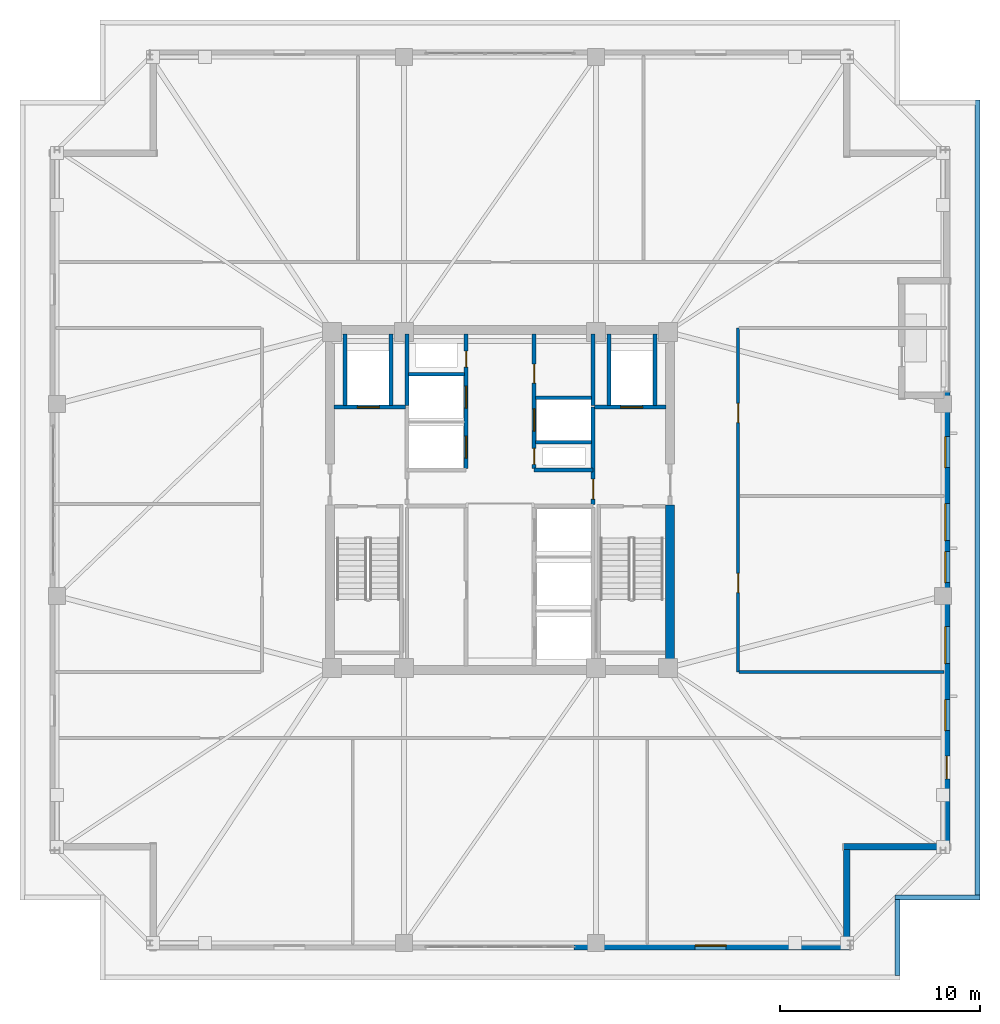
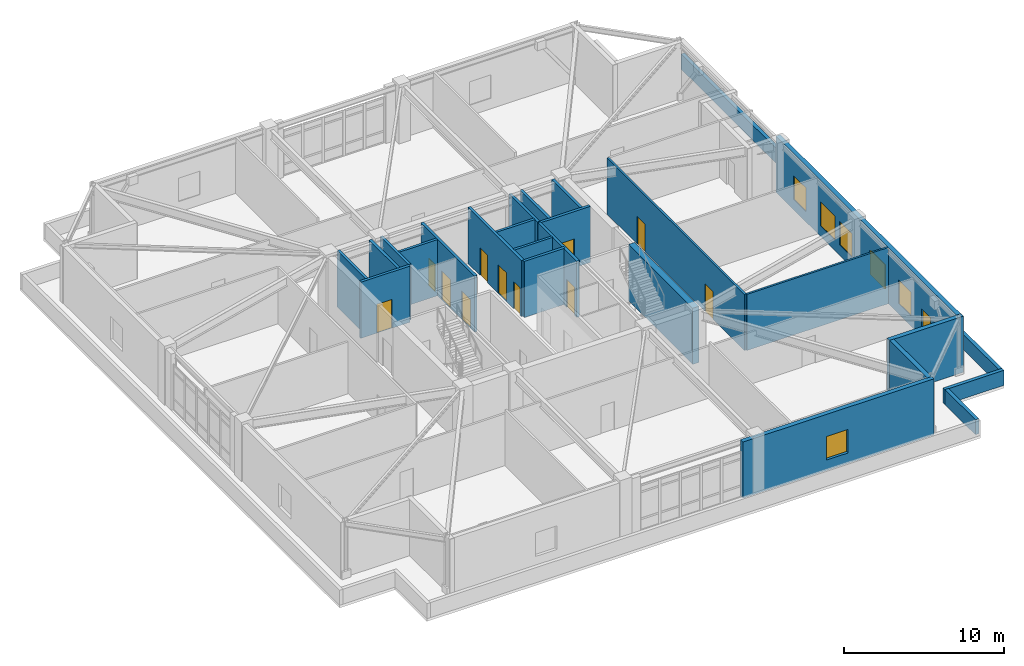
# One storey, part 12 of 18: 25 walls, 12 doors, 6 windows, 18 openings.
"""IFC4 building model written with IfcOpenShell, lengths in metres."""

from ifc_helpers import new_model, si_unit, direction, frame, frame_2d, origin, place, context, subcontext, project, spatial, rectangle, extrude, material, layer, layer_set, type_object, element, fill, save


model = new_model("IFC4")

# Units and contexts
model_context = context("Model", 3, precision=1e-05, world=origin(), true_north=direction((0.0, 1.0)))
body_context = subcontext(model_context, "Body", "Model", "MODEL_VIEW")
ifc_project = project(units=[si_unit("LENGTHUNIT", "METRE"), si_unit("AREAUNIT", "SQUARE_METRE"), si_unit("VOLUMEUNIT", "CUBIC_METRE"), si_unit("PLANEANGLEUNIT", "RADIAN"), si_unit("MASSUNIT", "GRAM", prefix="KILO")], contexts=[model_context])

# Site, building, storey
site_placement = place(None, origin())
site = spatial("IfcSite", under=ifc_project, at=site_placement, CompositionType="ELEMENT")
building_placement = place(site_placement, origin())
building = spatial("IfcBuilding", under=site, at=building_placement, Name="Cairnveth Concourse Tower", CompositionType="ELEMENT")
storey_placement = place(building_placement, frame((0.0, 0.0, 198.0)))
storey = spatial("IfcBuildingStorey", under=building, at=storey_placement, Name="L54", CompositionType="ELEMENT", Elevation=198.0)

# Walls
ifc_material_1 = material(Name="Concrete N65 (65 MPa)", Category="concrete")
ifc_layer_1 = layer(ifc_material_1, 0.449951171875)
ifc_layer_set_1 = layer_set([ifc_layer_1], Name="Concrete N65 (65 MPa)")
wall_type_1 = type_object("IfcWallType", Name="CORE SHEAR WALL 450", PredefinedType="SHEAR", material=ifc_layer_set_1)
wall_1_placement = place(storey_placement, frame((60.5, 30.715087890625, 0.0), z_axis=(0.0, 0.0, 1.0), x_axis=(0.0, 1.0, 0.0)))
element("IfcWall", 1, at=wall_1_placement, inside=storey, type_object=wall_type_1, Name="Core East Shear Wall S L54", PredefinedType="SHEAR", context=body_context, shape_type="SweptSolid", body=[
    extrude(rectangle(XDim=8.034912109375, YDim=0.449951171875, at=frame_2d((4.017578125, 0.0))), origin(), (0.0, 0.0, 1.0), 4.2900390625),
])
ifc_material_2 = material(Name="Concrete N50 (50 MPa)", Category="concrete")
ifc_layer_2 = layer(ifc_material_2, 0.179931640625)
ifc_layer_set_2 = layer_set([ifc_layer_2], Name="Concrete N50 (50 MPa)")
wall_type_2 = type_object("IfcWallType", Name="FIRE SHAFT WALL 180", PredefinedType="SOLIDWALL", material=ifc_layer_set_2)
wall_2_placement = place(storey_placement, frame((47.35009765625, 43.735107421875, 0.0), z_axis=(0.0, 0.0, 1.0), x_axis=(0.0, 1.0, 0.0)))
element("IfcWall", 2, at=wall_2_placement, inside=storey, type_object=wall_type_2, Name="Interior Wall IW-L54-029", PredefinedType="SOLIDWALL", context=body_context, shape_type="SweptSolid", body=[
    extrude(rectangle(XDim=3.554931640625, YDim=0.179931640625, at=frame_2d((1.77734375, 0.0))), origin(), (0.0, 0.0, 1.0), 4.2900390625),
])
wall_3_placement = place(storey_placement, frame((47.425048828125, 45.280029296875, 0.0), z_axis=(0.0, 0.0, 1.0), x_axis=(1.0, 0.0, 0.0)))
element("IfcWall", 3, at=wall_3_placement, inside=storey, type_object=wall_type_2, Name="Interior Wall IW-L54-031", PredefinedType="SOLIDWALL", context=body_context, shape_type="SweptSolid", body=[
    extrude(rectangle(XDim=2.7900390625, YDim=0.179931640625, at=frame_2d((1.39501953125, 0.0))), origin(), (0.0, 0.0, 1.0), 4.2900390625),
])
wall_4_placement = place(storey_placement, frame((56.64990234375, 43.735107421875, 0.0), z_axis=(0.0, 0.0, 1.0), x_axis=(0.0, 1.0, 0.0)))
element("IfcWall", 4, at=wall_4_placement, inside=storey, type_object=wall_type_2, Name="Interior Wall IW-L54-032", PredefinedType="SOLIDWALL", context=body_context, shape_type="SweptSolid", body=[
    extrude(rectangle(XDim=3.554931640625, YDim=0.179931640625, at=frame_2d((1.77734375, 0.0))), origin(), (0.0, 0.0, 1.0), 4.2900390625),
])
wall_5_placement = place(storey_placement, frame((53.784912109375, 41.8798828125, 0.0), z_axis=(0.0, 0.0, 1.0), x_axis=(1.0, 0.0, 0.0)))
element("IfcWall", 5, at=wall_5_placement, inside=storey, type_object=wall_type_2, Name="Interior Wall IW-L54-033", PredefinedType="SOLIDWALL", context=body_context, shape_type="SweptSolid", body=[
    extrude(rectangle(XDim=2.780029296875, YDim=0.179931640625, at=frame_2d((1.39013671875, 0.0))), origin(), (0.0, 0.0, 1.0), 4.2900390625),
])
wall_6_placement = place(storey_placement, frame((53.784912109375, 44.1201171875, 0.0), z_axis=(0.0, 0.0, 1.0), x_axis=(1.0, 0.0, 0.0)))
element("IfcWall", 6, at=wall_6_placement, inside=storey, type_object=wall_type_2, Name="Interior Wall IW-L54-034", PredefinedType="SOLIDWALL", context=body_context, shape_type="SweptSolid", body=[
    extrude(rectangle(XDim=2.7900390625, YDim=0.179931640625, at=frame_2d((1.39501953125, 0.0))), origin(), (0.0, 0.0, 1.0), 4.2900390625),
])
ifc_layer_3 = layer(ifc_material_2, 0.199951171875)
ifc_layer_set_3 = layer_set([ifc_layer_3], Name="Concrete N50 (50 MPa)")
wall_type_3 = type_object("IfcWallType", Name="FIRE SHAFT WALL 200", PredefinedType="SOLIDWALL", material=ifc_layer_set_3)
wall_7_placement = place(storey_placement, frame((53.699951171875, 40.5, 0.0), z_axis=(0.0, 0.0, 1.0), x_axis=(1.0, 0.0, 0.0)))
element("IfcWall", 7, at=wall_7_placement, inside=storey, type_object=wall_type_3, Name="Interior Wall IW-L54-010", PredefinedType="SOLIDWALL", context=body_context, shape_type="SweptSolid", body=[
    extrude(rectangle(XDim=2.949951171875, YDim=0.199951171875, at=frame_2d((1.47509765625, 0.0))), origin(), (0.0, 0.0, 1.0), 4.2900390625),
])

# Wall, openings, doors
wall_8_placement = place(storey_placement, frame((50.300048828125, 40.5849609375, 0.0), z_axis=(0.0, 0.0, 1.0), x_axis=(0.0, 1.0, 0.0)))
wall_8 = element("IfcWall", 8, at=wall_8_placement, inside=storey, type_object=wall_type_3, Name="Interior Wall IW-L54-013", PredefinedType="SOLIDWALL", context=body_context, shape_type="SweptSolid", body=[
    extrude(rectangle(XDim=6.705078125, YDim=0.199951171875, at=frame_2d((3.3525390625, 0.0))), origin(), (0.0, 0.0, 1.0), 4.2900390625),
])
opening_1_placement = place(wall_8_placement, frame((0.514892578125, 0.0, 0.0)))
opening_1 = element("IfcOpeningElement", 9, at=opening_1_placement, cuts=wall_8, Name="Opening LD-1", PredefinedType="OPENING", context=body_context, shape_type="SweptSolid", body=[
    extrude(rectangle(XDim=1.10009765625, YDim=2.199951171875, at=frame_2d((0.550048828125, 1.10009765625))), frame((0.0, 0.10986328125, 0.0), z_axis=(0.0, -1.0, 0.0), x_axis=(1.0, 0.0, 0.0)), (0.0, 0.0, 1.0), 0.219970703125),
])
opening_2_placement = place(wall_8_placement, frame((3.014892578125, 0.0, 0.0)))
opening_2 = element("IfcOpeningElement", 10, at=opening_2_placement, cuts=wall_8, Name="Opening LD-1", PredefinedType="OPENING", context=body_context, shape_type="SweptSolid", body=[
    extrude(rectangle(XDim=1.10009765625, YDim=2.199951171875, at=frame_2d((0.550048828125, 1.10009765625))), frame((0.0, 0.10986328125, 0.0), z_axis=(0.0, -1.0, 0.0), x_axis=(1.0, 0.0, 0.0)), (0.0, 0.0, 1.0), 0.219970703125),
])
opening_3_placement = place(wall_8_placement, frame((5.06494140625, 0.0, 0.0)))
opening_3 = element("IfcOpeningElement", 11, at=opening_3_placement, cuts=wall_8, Name="Opening ID24", PredefinedType="OPENING", context=body_context, shape_type="SweptSolid", body=[
    extrude(rectangle(XDim=0.800048828125, YDim=2.080078125, at=frame_2d((0.39990234375, 1.0400390625))), frame((0.0, 0.10986328125, 0.0), z_axis=(0.0, -1.0, 0.0), x_axis=(1.0, 0.0, 0.0)), (0.0, 0.0, 1.0), 0.219970703125),
])
ifc_material_3 = material(Name="Architectural Bronze Anodised Aluminium 6063-T6", Category="aluminium")
door_type_1 = type_object("IfcDoorType", Name="LIFT LANDING DOOR 1100X2200", OperationType="SLIDING_TO_LEFT", PredefinedType="DOOR", material=ifc_material_3)
door_1_placement = place(opening_1_placement, origin())
door_1 = element("IfcDoor", 12, at=door_1_placement, inside=storey, type_object=door_type_1, Name="Lift PL7 Landing Door L54", OperationType="SLIDING_TO_LEFT", OverallHeight=2.199951171875, OverallWidth=1.10009765625, PredefinedType="DOOR", context=body_context, shape_type="SweptSolid", body=[
    extrude(rectangle(XDim=1.10009765625, YDim=2.199951171875, at=frame_2d((0.550048828125, 1.10009765625))), frame((0.0, 0.02490234375, 0.0), z_axis=(0.0, -1.0, 0.0), x_axis=(1.0, 0.0, 0.0)), (0.0, 0.0, 1.0), 0.050048828125),
])
fill(opening_1, door_1)
door_2_placement = place(opening_2_placement, origin())
door_2 = element("IfcDoor", 13, at=door_2_placement, inside=storey, type_object=door_type_1, Name="Lift PL8 Landing Door L54", OperationType="SLIDING_TO_LEFT", OverallHeight=2.199951171875, OverallWidth=1.10009765625, PredefinedType="DOOR", context=body_context, shape_type="SweptSolid", body=[
    extrude(rectangle(XDim=1.10009765625, YDim=2.199951171875, at=frame_2d((0.550048828125, 1.10009765625))), frame((0.0, 0.02490234375, 0.0), z_axis=(0.0, -1.0, 0.0), x_axis=(1.0, 0.0, 0.0)), (0.0, 0.0, 1.0), 0.050048828125),
])
fill(opening_2, door_2)
ifc_material_4 = material(Name="Steel Grade 350", Category="steel")
door_type_2 = type_object("IfcDoorType", Name="RISER ACCESS DOOR 800X2100", OperationType="NOTDEFINED", PredefinedType="DOOR", material=ifc_material_4)
door_3_placement = place(opening_3_placement, origin())
door_3 = element("IfcDoor", 14, at=door_3_placement, inside=storey, type_object=door_type_2, Name="NW Electrical Riser Access Door L54", OperationType="SINGLE_SWING_LEFT", OverallHeight=2.080078125, OverallWidth=0.800048828125, PredefinedType="DOOR", context=body_context, shape_type="SweptSolid", body=[
    extrude(rectangle(XDim=0.800048828125, YDim=2.080078125, at=frame_2d((0.39990234375, 1.0400390625))), frame((0.0, 0.02490234375, 0.0), z_axis=(0.0, -1.0, 0.0), x_axis=(1.0, 0.0, 0.0)), (0.0, 0.0, 1.0), 0.050048828125),
])
fill(opening_3, door_3)

wall_9_placement = place(storey_placement, frame((53.699951171875, 40.5849609375, 0.0), z_axis=(0.0, 0.0, 1.0), x_axis=(0.0, 1.0, 0.0)))
wall_9 = element("IfcWall", 15, at=wall_9_placement, inside=storey, type_object=wall_type_3, Name="Interior Wall IW-L54-014", PredefinedType="SOLIDWALL", context=body_context, shape_type="SweptSolid", body=[
    extrude(rectangle(XDim=6.705078125, YDim=0.199951171875, at=frame_2d((3.3525390625, 0.0))), origin(), (0.0, 0.0, 1.0), 4.2900390625),
])
opening_4_placement = place(wall_9_placement, frame((0.195068359375, 0.0, 0.0)))
opening_4 = element("IfcOpeningElement", 16, at=opening_4_placement, cuts=wall_9, Name="Opening ID24", PredefinedType="OPENING", context=body_context, shape_type="SweptSolid", body=[
    extrude(rectangle(XDim=0.800048828125, YDim=2.080078125, at=frame_2d((0.39990234375, 1.0400390625))), frame((0.0, 0.10986328125, 0.0), z_axis=(0.0, -1.0, 0.0), x_axis=(1.0, 0.0, 0.0)), (0.0, 0.0, 1.0), 0.219970703125),
])
opening_5_placement = place(wall_9_placement, frame((1.864990234375, 0.0, 0.0)))
opening_5 = element("IfcOpeningElement", 17, at=opening_5_placement, cuts=wall_9, Name="Opening LD-1", PredefinedType="OPENING", context=body_context, shape_type="SweptSolid", body=[
    extrude(rectangle(XDim=1.10009765625, YDim=2.199951171875, at=frame_2d((0.550048828125, 1.10009765625))), frame((0.0, 0.10986328125, 0.0), z_axis=(0.0, -1.0, 0.0), x_axis=(1.0, 0.0, 0.0)), (0.0, 0.0, 1.0), 0.219970703125),
])
opening_6_placement = place(wall_9_placement, frame((4.264892578125, 0.0, 0.0)))
opening_6 = element("IfcOpeningElement", 18, at=opening_6_placement, cuts=wall_9, Name="Opening ID25", PredefinedType="OPENING", context=body_context, shape_type="SweptSolid", body=[
    extrude(rectangle(XDim=0.949951171875, YDim=2.1201171875, at=frame_2d((0.47509765625, 1.06005859375))), frame((0.0, 0.10986328125, 0.0), z_axis=(0.0, -1.0, 0.0), x_axis=(1.0, 0.0, 0.0)), (0.0, 0.0, 1.0), 0.219970703125),
])
door_type_3 = type_object("IfcDoorType", Name="CORE ACCESSIBLE FIRE DOOR 950X2120", OperationType="NOTDEFINED", PredefinedType="DOOR", material=ifc_material_4)
door_4_placement = place(opening_6_placement, origin())
door_4 = element("IfcDoor", 19, at=door_4_placement, inside=storey, type_object=door_type_3, Name="Core NE Accessible WC Door L54", OperationType="SINGLE_SWING_RIGHT", OverallHeight=2.1201171875, OverallWidth=0.949951171875, PredefinedType="DOOR", context=body_context, shape_type="SweptSolid", body=[
    extrude(rectangle(XDim=0.949951171875, YDim=2.1201171875, at=frame_2d((0.47509765625, 1.06005859375))), frame((0.0, 0.02490234375, 0.0), z_axis=(0.0, -1.0, 0.0), x_axis=(1.0, 0.0, 0.0)), (0.0, 0.0, 1.0), 0.050048828125),
])
fill(opening_6, door_4)
door_5_placement = place(opening_5_placement, origin())
door_5 = element("IfcDoor", 20, at=door_5_placement, inside=storey, type_object=door_type_1, Name="Lift PL9 Landing Door L54", OperationType="SLIDING_TO_LEFT", OverallHeight=2.199951171875, OverallWidth=1.10009765625, PredefinedType="DOOR", context=body_context, shape_type="SweptSolid", body=[
    extrude(rectangle(XDim=1.10009765625, YDim=2.199951171875, at=frame_2d((0.550048828125, 1.10009765625))), frame((0.0, 0.02490234375, 0.0), z_axis=(0.0, -1.0, 0.0), x_axis=(1.0, 0.0, 0.0)), (0.0, 0.0, 1.0), 0.050048828125),
])
fill(opening_5, door_5)
door_6_placement = place(opening_4_placement, origin())
door_6 = element("IfcDoor", 21, at=door_6_placement, inside=storey, type_object=door_type_2, Name="Hydraulic Riser Door L54", OperationType="SINGLE_SWING_RIGHT", OverallHeight=2.080078125, OverallWidth=0.800048828125, PredefinedType="DOOR", context=body_context, shape_type="SweptSolid", body=[
    extrude(rectangle(XDim=0.800048828125, YDim=2.080078125, at=frame_2d((0.39990234375, 1.0400390625))), frame((0.0, 0.02490234375, 0.0), z_axis=(0.0, -1.0, 0.0), x_axis=(1.0, 0.0, 0.0)), (0.0, 0.0, 1.0), 0.050048828125),
])
fill(opening_4, door_6)

# Wall, opening, door
wall_10_placement = place(storey_placement, frame((43.7099609375, 43.64990234375, 0.0), z_axis=(0.0, 0.0, 1.0), x_axis=(1.0, 0.0, 0.0)))
wall_10 = element("IfcWall", 22, at=wall_10_placement, inside=storey, type_object=wall_type_3, Name="Interior Wall IW-L54-017", PredefinedType="SOLIDWALL", context=body_context, shape_type="SweptSolid", body=[
    extrude(rectangle(XDim=3.554931640625, YDim=0.199951171875, at=frame_2d((1.77734375, 0.0))), origin(), (0.0, 0.0, 1.0), 4.2900390625),
])
opening_7_placement = place(wall_10_placement, frame((1.159912109375, 0.0, 0.0)))
opening_7 = element("IfcOpeningElement", 23, at=opening_7_placement, cuts=wall_10, Name="Opening LD-1", PredefinedType="OPENING", context=body_context, shape_type="SweptSolid", body=[
    extrude(rectangle(XDim=1.10009765625, YDim=2.199951171875, at=frame_2d((0.550048828125, 1.10009765625))), frame((0.0, 0.10986328125, 0.0), z_axis=(0.0, -1.0, 0.0), x_axis=(1.0, 0.0, 0.0)), (0.0, 0.0, 1.0), 0.219970703125),
])
door_7_placement = place(opening_7_placement, origin())
door_7 = element("IfcDoor", 24, at=door_7_placement, inside=storey, type_object=door_type_1, Name="Lift FFL1 Landing Door L54", OperationType="SLIDING_TO_LEFT", OverallHeight=2.199951171875, OverallWidth=1.10009765625, PredefinedType="DOOR", context=body_context, shape_type="SweptSolid", body=[
    extrude(rectangle(XDim=1.10009765625, YDim=2.199951171875, at=frame_2d((0.550048828125, 1.10009765625))), frame((0.0, 0.02490234375, 0.0), z_axis=(0.0, -1.0, 0.0), x_axis=(1.0, 0.0, 0.0)), (0.0, 0.0, 1.0), 0.050048828125),
])
fill(opening_7, door_7)

# Walls
for number, where, z_axis, x_axis, name in (
    (25, (46.550048828125, 43.735107421875, 0.0), (0.0, 0.0, 1.0), (0.0, 1.0, 0.0), "Interior Wall IW-L54-018"),
    (26, (44.25, 43.735107421875, 0.0), (0.0, 0.0, 1.0), (0.0, 1.0, 0.0), "Interior Wall IW-L54-019"),
):
    element("IfcWall", number, at=place(storey_placement, frame(where, z_axis=z_axis, x_axis=x_axis)), inside=storey, type_object=wall_type_3, Name=name, PredefinedType="SOLIDWALL", context=body_context, shape_type="SweptSolid", body=[
        extrude(rectangle(XDim=3.554931640625, YDim=0.199951171875, at=frame_2d((1.77734375, 0.0))), origin(), (0.0, 0.0, 1.0), 4.2900390625),
    ])

# Wall, opening, door
wall_11_placement = place(storey_placement, frame((56.64990234375, 38.784912109375, 0.0), z_axis=(0.0, 0.0, 1.0), x_axis=(0.0, 1.0, 0.0)))
wall_11 = element("IfcWall", 27, at=wall_11_placement, inside=storey, type_object=wall_type_3, Name="Interior Wall IW-L54-021", PredefinedType="SOLIDWALL", context=body_context, shape_type="SweptSolid", body=[
    extrude(rectangle(XDim=4.864990234375, YDim=0.199951171875, at=frame_2d((2.4326171875, 0.0))), origin(), (0.0, 0.0, 1.0), 4.2900390625),
])
opening_8_placement = place(wall_11_placement, frame((0.264892578125, 0.0, 0.0)))
opening_8 = element("IfcOpeningElement", 28, at=opening_8_placement, cuts=wall_11, Name="Opening ID07", PredefinedType="OPENING", context=body_context, shape_type="SweptSolid", body=[
    extrude(rectangle(XDim=1.0, YDim=2.14990234375, at=frame_2d((0.5, 1.074951171875))), frame((0.0, 0.10986328125, 0.0), z_axis=(0.0, -1.0, 0.0), x_axis=(1.0, 0.0, 0.0)), (0.0, 0.0, 1.0), 0.219970703125),
])
door_type_4 = type_object("IfcDoorType", Name="FIRE CORRIDOR DOOR 1000X2150", OperationType="NOTDEFINED", PredefinedType="DOOR", material=ifc_material_4)
door_8_placement = place(opening_8_placement, origin())
door_8 = element("IfcDoor", 29, at=door_8_placement, inside=storey, type_object=door_type_4, Name="FF Lobby East to Lift Lobby Door L54", OperationType="SINGLE_SWING_LEFT", OverallHeight=2.14990234375, OverallWidth=1.0, PredefinedType="DOOR", context=body_context, shape_type="SweptSolid", body=[
    extrude(rectangle(XDim=1.0, YDim=2.14990234375, at=frame_2d((0.5, 1.074951171875))), frame((0.0, 0.02490234375, 0.0), z_axis=(0.0, -1.0, 0.0), x_axis=(1.0, 0.0, 0.0)), (0.0, 0.0, 1.0), 0.050048828125),
])
fill(opening_8, door_8)

wall_12_placement = place(storey_placement, frame((56.735107421875, 43.64990234375, 0.0), z_axis=(0.0, 0.0, 1.0), x_axis=(1.0, 0.0, 0.0)))
wall_12 = element("IfcWall", 30, at=wall_12_placement, inside=storey, type_object=wall_type_3, Name="Interior Wall IW-L54-022", PredefinedType="SOLIDWALL", context=body_context, shape_type="SweptSolid", body=[
    extrude(rectangle(XDim=3.554931640625, YDim=0.199951171875, at=frame_2d((1.77734375, 0.0))), origin(), (0.0, 0.0, 1.0), 4.2900390625),
])
opening_9_placement = place(wall_12_placement, frame((1.294921875, 0.0, 0.0)))
opening_9 = element("IfcOpeningElement", 31, at=opening_9_placement, cuts=wall_12, Name="Opening LD-1", PredefinedType="OPENING", context=body_context, shape_type="SweptSolid", body=[
    extrude(rectangle(XDim=1.10009765625, YDim=2.199951171875, at=frame_2d((0.550048828125, 1.10009765625))), frame((0.0, 0.10986328125, 0.0), z_axis=(0.0, -1.0, 0.0), x_axis=(1.0, 0.0, 0.0)), (0.0, 0.0, 1.0), 0.219970703125),
])
door_9_placement = place(opening_9_placement, origin())
door_9 = element("IfcDoor", 32, at=door_9_placement, inside=storey, type_object=door_type_1, Name="Lift FFL2 Landing Door L54", OperationType="SLIDING_TO_LEFT", OverallHeight=2.199951171875, OverallWidth=1.10009765625, PredefinedType="DOOR", context=body_context, shape_type="SweptSolid", body=[
    extrude(rectangle(XDim=1.10009765625, YDim=2.199951171875, at=frame_2d((0.550048828125, 1.10009765625))), frame((0.0, 0.02490234375, 0.0), z_axis=(0.0, -1.0, 0.0), x_axis=(1.0, 0.0, 0.0)), (0.0, 0.0, 1.0), 0.050048828125),
])
fill(opening_9, door_9)

# Walls
for number, where, z_axis, x_axis, name in (
    (33, (57.449951171875, 43.735107421875, 0.0), (0.0, 0.0, 1.0), (0.0, 1.0, 0.0), "Interior Wall IW-L54-023"),
    (34, (59.75, 43.735107421875, 0.0), (0.0, 0.0, 1.0), (0.0, 1.0, 0.0), "Interior Wall IW-L54-024"),
):
    element("IfcWall", number, at=place(storey_placement, frame(where, z_axis=z_axis, x_axis=x_axis)), inside=storey, type_object=wall_type_3, Name=name, PredefinedType="SOLIDWALL", context=body_context, shape_type="SweptSolid", body=[
        extrude(rectangle(XDim=3.554931640625, YDim=0.199951171875, at=frame_2d((1.77734375, 0.0))), origin(), (0.0, 0.0, 1.0), 4.2900390625),
    ])

# Wall, openings, doors
ifc_material_5 = material(Name="Gypsum Plasterboard Partition", Category="gypsum")
ifc_layer_4 = layer(ifc_material_5, 0.139892578125)
ifc_layer_set_4 = layer_set([ifc_layer_4], Name="Gypsum Plasterboard Partition")
wall_type_4 = type_object("IfcWallType", Name="GYPSUM STUD PARTITION 140", PredefinedType="PARTITIONING", material=ifc_layer_set_4)
wall_13_placement = place(storey_placement, frame((63.89990234375, 30.39990234375, 0.0), z_axis=(0.0, 0.0, 1.0), x_axis=(0.0, 1.0, 0.0)))
wall_13 = element("IfcWall", 35, at=wall_13_placement, inside=storey, type_object=wall_type_4, Name="Interior Wall IW-L54-038", PredefinedType="PARTITIONING", context=body_context, shape_type="SweptSolid", body=[
    extrude(rectangle(XDim=17.2001953125, YDim=0.139892578125, at=frame_2d((8.60009765625, 0.0))), origin(), (0.0, 0.0, 1.0), 4.2900390625),
])
opening_10_placement = place(wall_13_placement, frame((3.967529296875, 0.0, 0.0)))
opening_10 = element("IfcOpeningElement", 36, at=opening_10_placement, cuts=wall_13, Name="Opening ID11", PredefinedType="OPENING", context=body_context, shape_type="SweptSolid", body=[
    extrude(rectangle(XDim=0.9599609375, YDim=2.1201171875, at=frame_2d((0.47998046875, 1.06005859375))), frame((0.0, 0.079833984375, 0.0), z_axis=(0.0, -1.0, 0.0), x_axis=(1.0, 0.0, 0.0)), (0.0, 0.0, 1.0), 0.159912109375),
])
opening_11_placement = place(wall_13_placement, frame((12.467529296875, 0.0, 0.0)))
opening_11 = element("IfcOpeningElement", 37, at=opening_11_placement, cuts=wall_13, Name="Opening ID11", PredefinedType="OPENING", context=body_context, shape_type="SweptSolid", body=[
    extrude(rectangle(XDim=0.9599609375, YDim=2.1201171875, at=frame_2d((0.47998046875, 1.06005859375))), frame((0.0, 0.079833984375, 0.0), z_axis=(0.0, -1.0, 0.0), x_axis=(1.0, 0.0, 0.0)), (0.0, 0.0, 1.0), 0.159912109375),
])
ifc_material_6 = material(Name="Solid Core Hardwood Timber Leaf", Category="wood")
door_type_5 = type_object("IfcDoorType", Name="INTERIOR SINGLE DOOR 960X2150", OperationType="NOTDEFINED", PredefinedType="DOOR", material=ifc_material_6)
door_10_placement = place(opening_10_placement, origin())
door_10 = element("IfcDoor", 38, at=door_10_placement, inside=storey, type_object=door_type_5, Name="Office Door L54-E1", OperationType="SINGLE_SWING_LEFT", OverallHeight=2.1201171875, OverallWidth=0.9599609375, PredefinedType="DOOR", context=body_context, shape_type="SweptSolid", body=[
    extrude(rectangle(XDim=0.9599609375, YDim=2.1201171875, at=frame_2d((0.47998046875, 1.06005859375))), frame((0.0, 0.02490234375, 0.0), z_axis=(0.0, -1.0, 0.0), x_axis=(1.0, 0.0, 0.0)), (0.0, 0.0, 1.0), 0.050048828125),
])
fill(opening_10, door_10)
door_11_placement = place(opening_11_placement, origin())
door_11 = element("IfcDoor", 39, at=door_11_placement, inside=storey, type_object=door_type_5, Name="Office Door L54-E2", OperationType="SINGLE_SWING_RIGHT", OverallHeight=2.1201171875, OverallWidth=0.9599609375, PredefinedType="DOOR", context=body_context, shape_type="SweptSolid", body=[
    extrude(rectangle(XDim=0.9599609375, YDim=2.1201171875, at=frame_2d((0.47998046875, 1.06005859375))), frame((0.0, 0.02490234375, 0.0), z_axis=(0.0, -1.0, 0.0), x_axis=(1.0, 0.0, 0.0)), (0.0, 0.0, 1.0), 0.050048828125),
])
fill(opening_11, door_11)

# Walls
wall_14_placement = place(storey_placement, frame((63.955078125, 30.39990234375, 0.0), z_axis=(0.0, 0.0, 1.0), x_axis=(1.0, 0.0, 0.0)))
element("IfcWall", 40, at=wall_14_placement, inside=storey, type_object=wall_type_4, Name="Interior Wall IW-L54-041", PredefinedType="PARTITIONING", context=body_context, shape_type="SweptSolid", body=[
    extrude(rectangle(XDim=10.239990234375, YDim=0.139892578125, at=frame_2d((5.1201171875, 0.0))), origin(), (0.0, 0.0, 1.0), 4.2900390625),
])
ifc_material_7 = material(Name="Hawthorn Red-Ochre Fired Clay Brick Masonry", Category="masonry")
ifc_layer_5 = layer(ifc_material_7, 0.25)
ifc_layer_set_5 = layer_set([ifc_layer_5], Name="Hawthorn Red-Ochre Fired Clay Brick Masonry")
wall_type_5 = type_object("IfcWallType", Name="ROOF MASONRY PARAPET WALL 250", PredefinedType="PARAPET", material=ifc_layer_set_5)
wall_15_placement = place(storey_placement, frame((75.875, 59.0, 0.0), z_axis=(0.0, 0.0, 1.0), x_axis=(0.0, -1.0, 0.0)))
element("IfcWall", 41, at=wall_15_placement, inside=storey, type_object=wall_type_5, Name="Exterior Wall EP-L54-SB08", PredefinedType="PARAPET", context=body_context, shape_type="SweptSolid", body=[
    extrude(rectangle(XDim=39.77197265625, YDim=0.25, at=frame_2d((19.885986328125, 0.0))), origin(), (0.0, 0.0, 1.0), 1.14990234375),
])
wall_16_placement = place(storey_placement, frame((76.0, 19.125, 0.0), z_axis=(0.0, 0.0, 1.0), x_axis=(-1.0, 0.0, 0.0)))
element("IfcWall", 42, at=wall_16_placement, inside=storey, type_object=wall_type_5, Name="Exterior Wall EP-L54-SB09", PredefinedType="PARAPET", context=body_context, shape_type="SweptSolid", body=[
    extrude(rectangle(XDim=4.25, YDim=0.25, at=frame_2d((2.125, 0.0))), origin(), (0.0, 0.0, 1.0), 1.14990234375),
])
wall_17_placement = place(storey_placement, frame((71.875, 19.02197265625, 0.0), z_axis=(0.0, 0.0, 1.0), x_axis=(0.0, -1.0, 0.0)))
element("IfcWall", 43, at=wall_17_placement, inside=storey, type_object=wall_type_5, Name="Exterior Wall EP-L54-SB10", PredefinedType="PARAPET", context=body_context, shape_type="SweptSolid", body=[
    extrude(rectangle(XDim=3.7939453125, YDim=0.25, at=frame_2d((1.89697265625, 0.0))), origin(), (0.0, 0.0, 1.0), 1.14990234375),
])

# Wall, openings, windows, door
ifc_material_8 = material(Name="Melbourne Buff Fired Clay Brick Masonry", Category="masonry")
ifc_layer_6 = layer(ifc_material_8, 0.320068359375)
ifc_layer_set_6 = layer_set([ifc_layer_6], Name="Melbourne Buff Fired Clay Brick Masonry")
wall_type_6 = type_object("IfcWallType", Name="ZONE 3 BRICK PIER SPANDREL WALL 320", PredefinedType="SOLIDWALL", material=ifc_layer_set_6)
wall_18_placement = place(storey_placement, frame((74.340087890625, 44.39990234375, 0.0), z_axis=(0.0, 0.0, 1.0), x_axis=(0.0, -1.0, 0.0)))
wall_18 = element("IfcWall", 44, at=wall_18_placement, inside=storey, type_object=wall_type_6, Name="Exterior Wall EW-L54-S00", PredefinedType="SOLIDWALL", context=body_context, shape_type="SweptSolid", body=[
    extrude(rectangle(XDim=22.601806640625, YDim=0.320068359375, at=frame_2d((11.30078125, 0.0))), origin(), (0.0, 0.0, 1.0), 4.2900390625),
])
opening_12_placement = place(wall_18_placement, frame((2.22509765625, 0.0, 0.800048828125)))
opening_12 = element("IfcOpeningElement", 45, at=opening_12_placement, cuts=wall_18, Name="Opening W07", PredefinedType="OPENING", context=body_context, shape_type="SweptSolid", body=[
    extrude(rectangle(XDim=1.550048828125, YDim=1.800048828125, at=frame_2d((0.77490234375, 0.89990234375))), frame((0.0, 0.169921875, 0.0), z_axis=(0.0, -1.0, 0.0), x_axis=(1.0, 0.0, 0.0)), (0.0, 0.0, 1.0), 0.340087890625),
])
opening_13_placement = place(wall_18_placement, frame((5.57568359375, 0.0, 0.800048828125)))
opening_13 = element("IfcOpeningElement", 46, at=opening_13_placement, cuts=wall_18, Name="Opening W08", PredefinedType="OPENING", context=body_context, shape_type="SweptSolid", body=[
    extrude(rectangle(XDim=1.85009765625, YDim=1.85009765625, at=frame_2d((0.925048828125, 0.925048828125))), frame((0.0, 0.169921875, 0.0), z_axis=(0.0, -1.0, 0.0), x_axis=(1.0, 0.0, 0.0)), (0.0, 0.0, 1.0), 0.340087890625),
])
opening_14_placement = place(wall_18_placement, frame((7.97607421875, 0.0, 0.800048828125)))
opening_14 = element("IfcOpeningElement", 47, at=opening_14_placement, cuts=wall_18, Name="Opening W07", PredefinedType="OPENING", context=body_context, shape_type="SweptSolid", body=[
    extrude(rectangle(XDim=1.550048828125, YDim=1.800048828125, at=frame_2d((0.77490234375, 0.89990234375))), frame((0.0, 0.169921875, 0.0), z_axis=(0.0, -1.0, 0.0), x_axis=(1.0, 0.0, 0.0)), (0.0, 0.0, 1.0), 0.340087890625),
])
opening_15_placement = place(wall_18_placement, frame((11.726318359375, 0.0, 0.800048828125)))
opening_15 = element("IfcOpeningElement", 48, at=opening_15_placement, cuts=wall_18, Name="Opening W08", PredefinedType="OPENING", context=body_context, shape_type="SweptSolid", body=[
    extrude(rectangle(XDim=1.85009765625, YDim=1.85009765625, at=frame_2d((0.925048828125, 0.925048828125))), frame((0.0, 0.169921875, 0.0), z_axis=(0.0, -1.0, 0.0), x_axis=(1.0, 0.0, 0.0)), (0.0, 0.0, 1.0), 0.340087890625),
])
opening_16_placement = place(wall_18_placement, frame((15.376708984375, 0.0, 0.800048828125)))
opening_16 = element("IfcOpeningElement", 49, at=opening_16_placement, cuts=wall_18, Name="Opening W07", PredefinedType="OPENING", context=body_context, shape_type="SweptSolid", body=[
    extrude(rectangle(XDim=1.550048828125, YDim=1.800048828125, at=frame_2d((0.77490234375, 0.89990234375))), frame((0.0, 0.169921875, 0.0), z_axis=(0.0, -1.0, 0.0), x_axis=(1.0, 0.0, 0.0)), (0.0, 0.0, 1.0), 0.340087890625),
])
opening_17_placement = place(wall_18_placement, frame((18.199951171875, 0.0, 0.0)))
opening_17 = element("IfcOpeningElement", 50, at=opening_17_placement, cuts=wall_18, Name="Opening ED3", PredefinedType="OPENING", context=body_context, shape_type="SweptSolid", body=[
    extrude(rectangle(XDim=1.14990234375, YDim=2.14990234375, at=frame_2d((0.574951171875, 1.074951171875))), frame((0.0, 0.169921875, 0.0), z_axis=(0.0, -1.0, 0.0), x_axis=(1.0, 0.0, 0.0)), (0.0, 0.0, 1.0), 0.340087890625),
])
ifc_material_9 = material(Name="Double Glazed Low-E Clear Glass", Category="glass")
window_type_1 = type_object("IfcWindowType", Name="DEEP-SET APARTMENT LIVING WINDOW 1850X1850", PartitioningType="DOUBLE_PANEL_VERTICAL", PredefinedType="WINDOW", material=ifc_material_9)
window_1_placement = place(opening_13_placement, origin())
window_1 = element("IfcWindow", 51, at=window_1_placement, inside=storey, type_object=window_type_1, Name="Gothic Lancet Window L54-0-2", OverallHeight=1.85009765625, OverallWidth=1.85009765625, PartitioningType="SINGLE_PANEL", PredefinedType="WINDOW", context=body_context, shape_type="SweptSolid", body=[
    extrude(rectangle(XDim=1.85009765625, YDim=1.85009765625, at=frame_2d((0.925048828125, 0.925048828125))), frame((0.0, -0.050048828125, 0.0), z_axis=(0.0, -1.0, 0.0), x_axis=(1.0, 0.0, 0.0)), (0.0, 0.0, 1.0), 0.06005859375),
])
fill(opening_13, window_1)
window_2_placement = place(opening_15_placement, origin())
window_2 = element("IfcWindow", 52, at=window_2_placement, inside=storey, type_object=window_type_1, Name="Gothic Lancet Window L54-0-4", OverallHeight=1.85009765625, OverallWidth=1.85009765625, PartitioningType="SINGLE_PANEL", PredefinedType="WINDOW", context=body_context, shape_type="SweptSolid", body=[
    extrude(rectangle(XDim=1.85009765625, YDim=1.85009765625, at=frame_2d((0.925048828125, 0.925048828125))), frame((0.0, -0.050048828125, 0.0), z_axis=(0.0, -1.0, 0.0), x_axis=(1.0, 0.0, 0.0)), (0.0, 0.0, 1.0), 0.06005859375),
])
fill(opening_15, window_2)
window_type_2 = type_object("IfcWindowType", Name="DEEP-SET APARTMENT WINDOW 1550X1800", PartitioningType="DOUBLE_PANEL_VERTICAL", PredefinedType="WINDOW", material=ifc_material_9)
window_3_placement = place(opening_12_placement, origin())
window_3 = element("IfcWindow", 53, at=window_3_placement, inside=storey, type_object=window_type_2, Name="Gothic Lancet Window L54-0-1", OverallHeight=1.800048828125, OverallWidth=1.550048828125, PartitioningType="SINGLE_PANEL", PredefinedType="WINDOW", context=body_context, shape_type="SweptSolid", body=[
    extrude(rectangle(XDim=1.550048828125, YDim=1.800048828125, at=frame_2d((0.77490234375, 0.89990234375))), frame((0.0, -0.050048828125, 0.0), z_axis=(0.0, -1.0, 0.0), x_axis=(1.0, 0.0, 0.0)), (0.0, 0.0, 1.0), 0.06005859375),
])
fill(opening_12, window_3)
window_4_placement = place(opening_14_placement, origin())
window_4 = element("IfcWindow", 54, at=window_4_placement, inside=storey, type_object=window_type_2, Name="Gothic Lancet Window L54-0-3", OverallHeight=1.800048828125, OverallWidth=1.550048828125, PartitioningType="SINGLE_PANEL", PredefinedType="WINDOW", context=body_context, shape_type="SweptSolid", body=[
    extrude(rectangle(XDim=1.550048828125, YDim=1.800048828125, at=frame_2d((0.77490234375, 0.89990234375))), frame((0.0, -0.050048828125, 0.0), z_axis=(0.0, -1.0, 0.0), x_axis=(1.0, 0.0, 0.0)), (0.0, 0.0, 1.0), 0.06005859375),
])
fill(opening_14, window_4)
window_5_placement = place(opening_16_placement, origin())
window_5 = element("IfcWindow", 55, at=window_5_placement, inside=storey, type_object=window_type_2, Name="Gothic Lancet Window L54-0-5", OverallHeight=1.800048828125, OverallWidth=1.550048828125, PartitioningType="SINGLE_PANEL", PredefinedType="WINDOW", context=body_context, shape_type="SweptSolid", body=[
    extrude(rectangle(XDim=1.550048828125, YDim=1.800048828125, at=frame_2d((0.77490234375, 0.89990234375))), frame((0.0, -0.050048828125, 0.0), z_axis=(0.0, -1.0, 0.0), x_axis=(1.0, 0.0, 0.0)), (0.0, 0.0, 1.0), 0.06005859375),
])
fill(opening_16, window_5)
door_type_6 = type_object("IfcDoorType", Name="FINAL EXIT DISCHARGE DOOR 1150X2150", OperationType="NOTDEFINED", PredefinedType="DOOR", material=ifc_material_3)
door_12_placement = place(opening_17_placement, origin())
door_12 = element("IfcDoor", 56, at=door_12_placement, inside=storey, type_object=door_type_6, Name="Setback Roof Maintenance Access Door L54", OperationType="SINGLE_SWING_LEFT", OverallHeight=2.14990234375, OverallWidth=1.14990234375, PredefinedType="DOOR", context=body_context, shape_type="SweptSolid", body=[
    extrude(rectangle(XDim=1.14990234375, YDim=2.14990234375, at=frame_2d((0.574951171875, 1.074951171875))), frame((0.0, 0.02490234375, 0.0), z_axis=(0.0, -1.0, 0.0), x_axis=(1.0, 0.0, 0.0)), (0.0, 0.0, 1.0), 0.050048828125),
])
fill(opening_17, door_12)

# Walls
wall_19_placement = place(storey_placement, frame((74.5, 21.659912109375, 0.0), z_axis=(0.0, 0.0, 1.0), x_axis=(-1.0, 0.0, 0.0)))
element("IfcWall", 57, at=wall_19_placement, inside=storey, type_object=wall_type_6, Name="Exterior Wall EW-L54-S01", PredefinedType="SOLIDWALL", context=body_context, shape_type="SweptSolid", body=[
    extrude(rectangle(XDim=5.320068359375, YDim=0.320068359375, at=frame_2d((2.66015625, 0.0))), origin(), (0.0, 0.0, 1.0), 4.2900390625),
])
wall_20_placement = place(storey_placement, frame((69.340087890625, 21.52197265625, 0.0), z_axis=(0.0, 0.0, 1.0), x_axis=(0.0, -1.0, 0.0)))
element("IfcWall", 58, at=wall_20_placement, inside=storey, type_object=wall_type_6, Name="Exterior Wall EW-L54-S02", PredefinedType="SOLIDWALL", context=body_context, shape_type="SweptSolid", body=[
    extrude(rectangle(XDim=4.723876953125, YDim=0.320068359375, at=frame_2d((2.36181640625, 0.0))), origin(), (0.0, 0.0, 1.0), 4.2900390625),
])

# Wall, opening, window
wall_21_placement = place(storey_placement, frame((69.5, 16.659912109375, 0.0), z_axis=(0.0, 0.0, 1.0), x_axis=(-1.0, 0.0, 0.0)))
wall_21 = element("IfcWall", 59, at=wall_21_placement, inside=storey, type_object=wall_type_6, Name="Exterior Wall EW-L54-S3A", PredefinedType="SOLIDWALL", context=body_context, shape_type="SweptSolid", body=[
    extrude(rectangle(XDim=13.800048828125, YDim=0.320068359375, at=frame_2d((6.89990234375, 0.0))), origin(), (0.0, 0.0, 1.0), 4.2900390625),
])
opening_18_placement = place(wall_21_placement, frame((6.199951171875, 0.0, 0.800048828125)))
opening_18 = element("IfcOpeningElement", 60, at=opening_18_placement, cuts=wall_21, Name="Opening W07", PredefinedType="OPENING", context=body_context, shape_type="SweptSolid", body=[
    extrude(rectangle(XDim=1.550048828125, YDim=1.800048828125, at=frame_2d((0.77490234375, 0.89990234375))), frame((0.0, 0.169921875, 0.0), z_axis=(0.0, -1.0, 0.0), x_axis=(1.0, 0.0, 0.0)), (0.0, 0.0, 1.0), 0.340087890625),
])
window_6_placement = place(opening_18_placement, origin())
window_6 = element("IfcWindow", 61, at=window_6_placement, inside=storey, type_object=window_type_2, Name="WIN-L54-S3-A", OverallHeight=1.800048828125, OverallWidth=1.550048828125, PartitioningType="SINGLE_PANEL", PredefinedType="WINDOW", context=body_context, shape_type="SweptSolid", body=[
    extrude(rectangle(XDim=1.550048828125, YDim=1.800048828125, at=frame_2d((0.77490234375, 0.89990234375))), frame((0.0, -0.0400390625, 0.0), z_axis=(0.0, -1.0, 0.0), x_axis=(1.0, 0.0, 0.0)), (0.0, 0.0, 1.0), 0.06005859375),
])
fill(opening_18, window_6)

save(model, "model.ifc")
